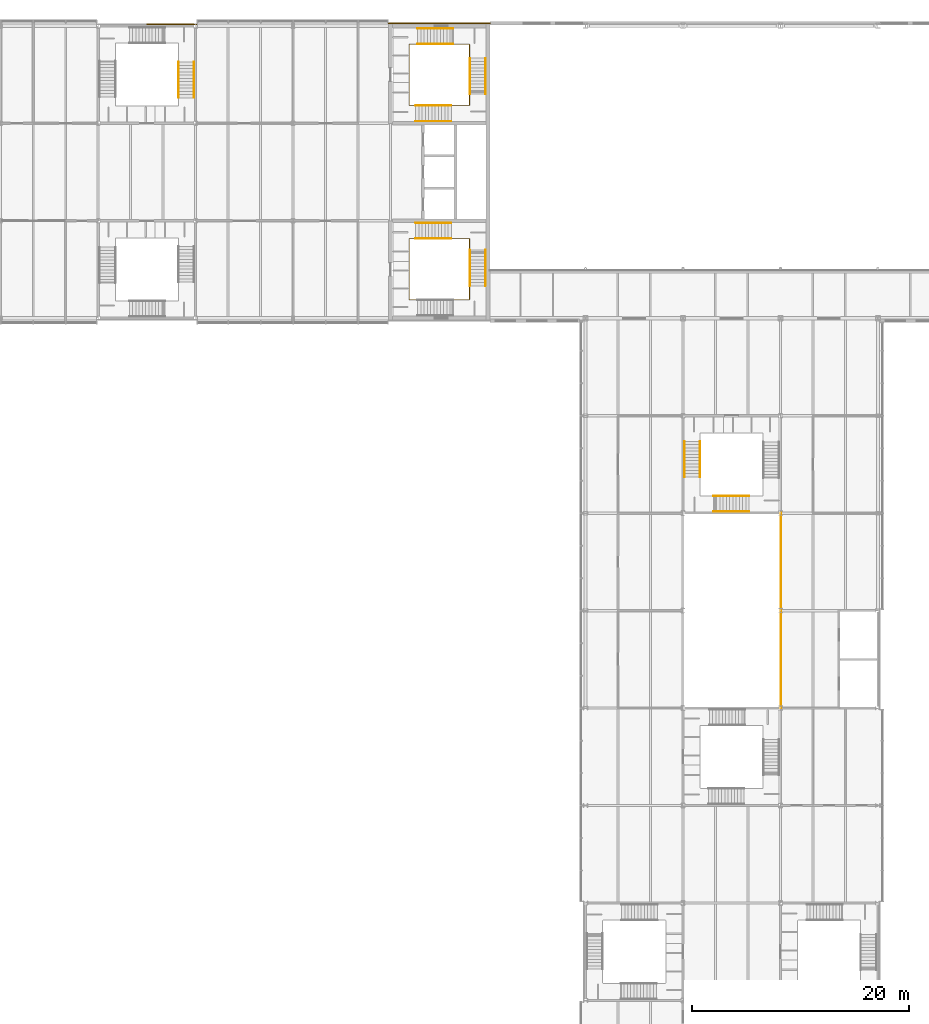
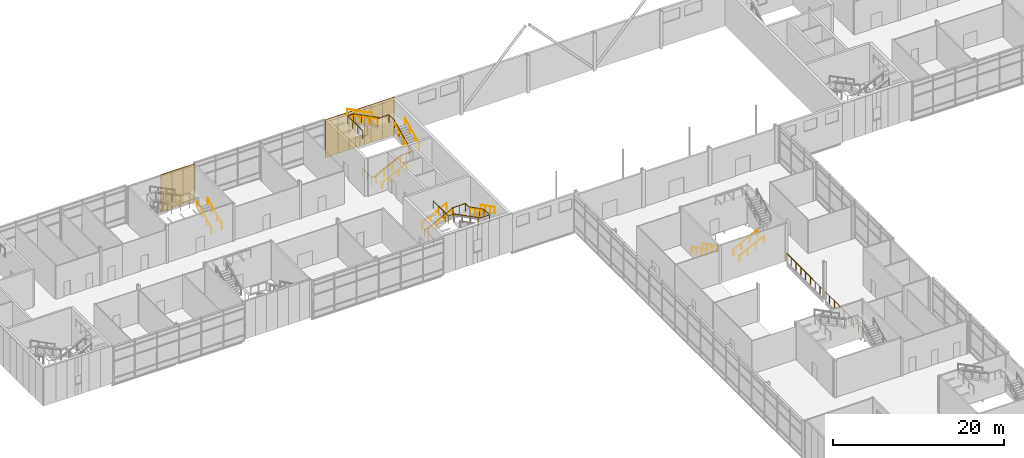
# One storey, part 52 of 56: 20 railings, 13 coverings.
"""IFC4 building model written with IfcOpenShell, lengths in metres."""

from ifc_helpers import new_model, si_unit, direction, frame, origin, origin_2d, place, context, subcontext, project, spatial, rectangle, circle, extrude, material, layer, layer_set, type_object, element, save


model = new_model("IFC4")

# Units and contexts
model_context = context("Model", 3, precision=1e-05, world=origin(), true_north=direction((0.0, 1.0)))
body_context = subcontext(model_context, "Body", "Model", "MODEL_VIEW")
ifc_project = project(units=[si_unit("LENGTHUNIT", "METRE"), si_unit("AREAUNIT", "SQUARE_METRE"), si_unit("VOLUMEUNIT", "CUBIC_METRE"), si_unit("PLANEANGLEUNIT", "RADIAN"), si_unit("MASSUNIT", "GRAM", prefix="KILO")], contexts=[model_context])

# Site, building, storey
site_placement = place(None, origin())
site = spatial("IfcSite", under=ifc_project, at=site_placement, CompositionType="ELEMENT")
building_placement = place(site_placement, origin())
building = spatial("IfcBuilding", under=site, at=building_placement, Name="Azimuth Sports and Learning Centre", CompositionType="ELEMENT")
storey_placement = place(building_placement, frame((0.0, 0.0, 5.39990234375)))
storey = spatial("IfcBuildingStorey", under=building, at=storey_placement, Name="L01", CompositionType="ELEMENT", Elevation=5.39990234375)

# Coverings
ifc_material_1 = material(Name="Cladding panel")
ifc_layer = layer(ifc_material_1, 0.10009765625)
ifc_layer_set = layer_set([ifc_layer], Name="Cladding panel")
covering_type = type_object("IfcCoveringType", Name="Cladding panel 100", PredefinedType="CLADDING", material=ifc_layer_set)
covering_1_placement = place(storey_placement, frame((62.35009765625, 117.25, 0.000244140625), z_axis=(0.0, 0.0, 1.0), x_axis=(-1.0, 0.0, 0.0)))
element("IfcCovering", 1, at=covering_1_placement, inside=storey, type_object=covering_type, Name="Cladding panel N-CORE W L01 1", PredefinedType="CLADDING", context=body_context, shape_type="SweptSolid", body=[
    extrude(rectangle(XDim=1.699951171875, YDim=0.10009765625, at=origin_2d()), origin(), (0.0, 0.0, 1.0), 5.39990234375),
])
covering_2_placement = place(storey_placement, frame((60.75, 117.25, 0.000244140625), z_axis=(0.0, 0.0, 1.0), x_axis=(-1.0, 0.0, 0.0)))
element("IfcCovering", 2, at=covering_2_placement, inside=storey, type_object=covering_type, Name="Cladding panel N-CORE W L01 2", PredefinedType="CLADDING", context=body_context, shape_type="SweptSolid", body=[
    extrude(rectangle(XDim=1.5, YDim=0.10009765625, at=origin_2d()), origin(), (0.0, 0.0, 1.0), 5.39990234375),
])
covering_3_placement = place(storey_placement, frame((59.550048828125, 117.25, 0.000244140625), z_axis=(0.0, 0.0, 1.0), x_axis=(-1.0, 0.0, 0.0)))
element("IfcCovering", 3, at=covering_3_placement, inside=storey, type_object=covering_type, Name="Cladding panel N-CORE W L01 3", PredefinedType="CLADDING", context=body_context, shape_type="SweptSolid", body=[
    extrude(rectangle(XDim=0.89990234375, YDim=0.10009765625, at=origin_2d()), origin(), (0.0, 0.0, 1.0), 5.39990234375),
])
covering_4_placement = place(storey_placement, frame((58.800048828125, 117.25, 0.0), z_axis=(0.0, 0.0, 1.0), x_axis=(-1.0, 0.0, 0.0)))
element("IfcCovering", 4, at=covering_4_placement, inside=storey, type_object=covering_type, Name="Cladding panel N-CORE W L01 4", PredefinedType="CLADDING", context=body_context, shape_type="SweptSolid", body=[
    extrude(rectangle(XDim=0.60009765625, YDim=0.10009765625, at=origin_2d()), origin(), (0.0, 0.0, 1.0), 1.5),
])
covering_5_placement = place(storey_placement, frame((58.800048828125, 117.25, 3.300048828125), z_axis=(0.0, 0.0, 1.0), x_axis=(-1.0, 0.0, 0.0)))
element("IfcCovering", 5, at=covering_5_placement, inside=storey, type_object=covering_type, Name="Cladding panel N-CORE W L01 5", PredefinedType="CLADDING", context=body_context, shape_type="SweptSolid", body=[
    extrude(rectangle(XDim=0.60009765625, YDim=0.10009765625, at=origin_2d()), origin(), (0.0, 0.0, 1.0), 2.10009765625),
])
covering_6_placement = place(storey_placement, frame((57.449951171875, 117.25, 0.000244140625), z_axis=(0.0, 0.0, 1.0), x_axis=(-1.0, 0.0, 0.0)))
element("IfcCovering", 6, at=covering_6_placement, inside=storey, type_object=covering_type, Name="Cladding panel N-CORE W L01 6", PredefinedType="CLADDING", context=body_context, shape_type="SweptSolid", body=[
    extrude(rectangle(XDim=0.89990234375, YDim=0.10009765625, at=origin_2d()), origin(), (0.0, 0.0, 1.0), 5.39990234375),
])
covering_7_placement = place(storey_placement, frame((58.199951171875, 117.25, 0.0), z_axis=(0.0, 0.0, 1.0), x_axis=(-1.0, 0.0, 0.0)))
element("IfcCovering", 7, at=covering_7_placement, inside=storey, type_object=covering_type, Name="Cladding panel N-CORE W L01 7", PredefinedType="CLADDING", context=body_context, shape_type="SweptSolid", body=[
    extrude(rectangle(XDim=0.60009765625, YDim=0.10009765625, at=origin_2d()), origin(), (0.0, 0.0, 1.0), 1.5),
])
covering_8_placement = place(storey_placement, frame((58.199951171875, 117.25, 3.300048828125), z_axis=(0.0, 0.0, 1.0), x_axis=(-1.0, 0.0, 0.0)))
element("IfcCovering", 8, at=covering_8_placement, inside=storey, type_object=covering_type, Name="Cladding panel N-CORE W L01 8", PredefinedType="CLADDING", context=body_context, shape_type="SweptSolid", body=[
    extrude(rectangle(XDim=0.60009765625, YDim=0.10009765625, at=origin_2d()), origin(), (0.0, 0.0, 1.0), 2.10009765625),
])
covering_9_placement = place(storey_placement, frame((56.25, 117.25, 0.000244140625), z_axis=(0.0, 0.0, 1.0), x_axis=(-1.0, 0.0, 0.0)))
element("IfcCovering", 9, at=covering_9_placement, inside=storey, type_object=covering_type, Name="Cladding panel N-CORE W L01 9", PredefinedType="CLADDING", context=body_context, shape_type="SweptSolid", body=[
    extrude(rectangle(XDim=1.5, YDim=0.10009765625, at=origin_2d()), origin(), (0.0, 0.0, 1.0), 5.39990234375),
])
covering_10_placement = place(storey_placement, frame((54.64990234375, 117.25, 0.000244140625), z_axis=(0.0, 0.0, 1.0), x_axis=(-1.0, 0.0, 0.0)))
element("IfcCovering", 10, at=covering_10_placement, inside=storey, type_object=covering_type, Name="Cladding panel N-CORE W L01 10", PredefinedType="CLADDING", context=body_context, shape_type="SweptSolid", body=[
    extrude(rectangle(XDim=1.699951171875, YDim=0.10009765625, at=origin_2d()), origin(), (0.0, 0.0, 1.0), 5.39990234375),
])
covering_11_placement = place(storey_placement, frame((35.300048828125, 117.14990234375, 0.000244140625), z_axis=(0.0, 0.0, 1.0), x_axis=(-1.0, 0.0, 0.0)))
element("IfcCovering", 11, at=covering_11_placement, inside=storey, type_object=covering_type, Name="Cladding panel N-WM2 L01 1", PredefinedType="CLADDING", context=body_context, shape_type="SweptSolid", body=[
    extrude(rectangle(XDim=1.60009765625, YDim=0.10009765625, at=origin_2d()), origin(), (0.0, 0.0, 1.0), 5.39990234375),
])
for number, where, z_axis, x_axis, name in (
    (12, (33.75, 117.14990234375, 0.000244140625), (0.0, 0.0, 1.0), (-1.0, 0.0, 0.0), "Cladding panel N-WM2 L01 2"),
    (13, (32.25, 117.14990234375, 0.000244140625), (0.0, 0.0, 1.0), (-1.0, 0.0, 0.0), "Cladding panel N-WM2 L01 3"),
):
    element("IfcCovering", number, at=place(storey_placement, frame(where, z_axis=z_axis, x_axis=x_axis)), inside=storey, type_object=covering_type, Name=name, PredefinedType="CLADDING", context=body_context, shape_type="SweptSolid", body=[
        extrude(rectangle(XDim=1.5, YDim=0.10009765625, at=origin_2d()), origin(), (0.0, 0.0, 1.0), 5.39990234375),
    ])

# Railings
ifc_material_2 = material(Name="Steel balustrade", Category="steel")
railing_type_1 = type_object("IfcRailingType", Name="Guard 1100", PredefinedType="GUARDRAIL", material=ifc_material_2)
for number, where, name in (
    (14, (90.070068359375, 54.0, 0.0), "Atrium guard"),
    (15, (90.070068359375, 63.0, 0.0), "Atrium guard"),
):
    element("IfcRailing", number, at=place(storey_placement, frame(where)), inside=storey, type_object=railing_type_1, Name=name, PredefinedType="GUARDRAIL", context=body_context, shape_type="SweptSolid", body=[
        extrude(circle(Radius=0.02392578125, at=origin_2d()), frame((0.0, 0.0, 1.076171875), z_axis=(0.0, 1.0, 0.0), x_axis=(-1.0, 0.0, 0.0)), (0.0, 0.0, 1.0), 9.0),
        extrude(circle(Radius=0.02099609375, at=origin_2d()), origin(), (0.0, 0.0, 1.0), 1.052001953125),
        extrude(circle(Radius=0.02099609375, at=origin_2d()), frame((0.0, 1.125, 0.0)), (0.0, 0.0, 1.0), 1.052001953125),
        extrude(circle(Radius=0.02099609375, at=origin_2d()), frame((0.0, 2.25, 0.0)), (0.0, 0.0, 1.0), 1.052001953125),
        extrude(circle(Radius=0.02099609375, at=origin_2d()), frame((0.0, 3.375, 0.0)), (0.0, 0.0, 1.0), 1.052001953125),
        extrude(circle(Radius=0.02099609375, at=origin_2d()), frame((0.0, 4.5, 0.0)), (0.0, 0.0, 1.0), 1.052001953125),
        extrude(circle(Radius=0.02099609375, at=origin_2d()), frame((0.0, 5.625, 0.0)), (0.0, 0.0, 1.0), 1.052001953125),
        extrude(circle(Radius=0.02099609375, at=origin_2d()), frame((0.0, 6.75, 0.0)), (0.0, 0.0, 1.0), 1.052001953125),
        extrude(circle(Radius=0.02099609375, at=origin_2d()), frame((0.0, 7.875, 0.0)), (0.0, 0.0, 1.0), 1.052001953125),
        extrude(circle(Radius=0.02099609375, at=origin_2d()), frame((0.0, 9.0, 0.0)), (0.0, 0.0, 1.0), 1.052001953125),
    ])
ifc_material_3 = material(Name="Stainless steel", Category="steel")
railing_type_2 = type_object("IfcRailingType", Name="Stair guard 1100", PredefinedType="GUARDRAIL", material=ifc_material_3)
railing_1_placement = place(storey_placement, frame((55.7099609375, 95.25, 0.0)))
element("IfcRailing", 16, at=railing_1_placement, inside=storey, type_object=railing_type_2, Name="Guard W1 L01 well", PredefinedType="GUARDRAIL", context=body_context, shape_type="SweptSolid", body=[
    extrude(circle(Radius=0.02392578125, at=origin_2d()), frame((0.0, 0.0, 1.076171875), z_axis=(0.0, 1.0, 0.0), x_axis=(-1.0, 0.0, 0.0)), (0.0, 0.0, 1.0), 2.090087890625),
    extrude(circle(Radius=0.02392578125, at=origin_2d()), frame((0.0, 2.090087890625, 1.076171875), z_axis=(1.0, 0.0, 0.0), x_axis=(0.0, 1.0, 0.0)), (0.0, 0.0, 1.0), 0.60009765625),
    extrude(circle(Radius=0.02392578125, at=origin_2d()), frame((0.60009765625, 2.090087890625, 1.076171875), z_axis=(0.0, 0.0, 1.0), x_axis=(1.0, 0.0, 0.0)), (0.0, 0.0, 1.0), 0.150146484375),
    extrude(circle(Radius=0.02392578125, at=origin_2d()), frame((0.60009765625, 2.090087890625, 1.22607421875), z_axis=(0.894440424912, 0.0, 0.447187126696), x_axis=(0.0, 1.0, 0.0)), (0.0, 0.0, 1.0), 3.689453125),
    extrude(circle(Radius=0.02392578125, at=origin_2d()), frame((3.900146484375, 2.090087890625, 2.8759765625), z_axis=(1.0, 0.0, 0.0), x_axis=(0.0, 1.0, 0.0)), (0.0, 0.0, 1.0), 1.679931640625),
    extrude(circle(Radius=0.02392578125, at=origin_2d()), frame((5.580078125, 2.090087890625, 2.8759765625), z_axis=(0.0, -1.0, 0.0), x_axis=(1.0, 0.0, 0.0)), (0.0, 0.0, 1.0), 1.050048828125),
    extrude(circle(Radius=0.02392578125, at=origin_2d()), frame((5.580078125, 1.0400390625, 2.8759765625), z_axis=(0.0, 0.0, 1.0), x_axis=(1.0, 0.0, 0.0)), (0.0, 0.0, 1.0), 0.150146484375),
    extrude(circle(Radius=0.02392578125, at=origin_2d()), frame((5.580078125, 1.0400390625, 3.0263671875), z_axis=(0.0, -0.894440424912, 0.447187126696), x_axis=(1.0, 0.0, 0.0)), (0.0, 0.0, 1.0), 3.689453125),
    extrude(circle(Radius=0.02392578125, at=origin_2d()), frame((5.580078125, -2.260009765625, 4.67626953125), z_axis=(0.0, -1.0, 0.0), x_axis=(1.0, 0.0, 0.0)), (0.0, 0.0, 1.0), 1.280029296875),
    extrude(circle(Radius=0.02392578125, at=origin_2d()), frame((5.580078125, -3.5400390625, 4.67626953125), z_axis=(-1.0, 0.0, 0.0), x_axis=(0.0, -1.0, 0.0)), (0.0, 0.0, 1.0), 1.5),
    extrude(circle(Radius=0.02392578125, at=origin_2d()), frame((4.080078125, -3.5400390625, 4.67626953125), z_axis=(0.0, 0.0, 1.0), x_axis=(1.0, 0.0, 0.0)), (0.0, 0.0, 1.0), 0.14990234375),
    extrude(circle(Radius=0.02392578125, at=origin_2d()), frame((4.080078125, -3.5400390625, 4.826171875), z_axis=(-0.894413956696, 0.0, 0.447240063129), x_axis=(0.0, -1.0, 0.0)), (0.0, 0.0, 1.0), 3.689697265625),
    extrude(circle(Radius=0.02392578125, at=origin_2d()), frame((0.780029296875, -3.5400390625, 6.47607421875), z_axis=(-1.0, 0.0, 0.0), x_axis=(0.0, -1.0, 0.0)), (0.0, 0.0, 1.0), 0.780029296875),
    extrude(circle(Radius=0.02392578125, at=origin_2d()), frame((0.0, -3.5400390625, 6.47607421875), z_axis=(0.0, 1.0, 0.0), x_axis=(-1.0, 0.0, 0.0)), (0.0, 0.0, 1.0), 3.5400390625),
    extrude(circle(Radius=0.01611328125, at=origin_2d()), origin(), (0.0, 0.0, 1.0), 1.052001953125),
    extrude(circle(Radius=0.01611328125, at=origin_2d()), frame((0.0, 1.044921875, 0.0)), (0.0, 0.0, 1.0), 1.052001953125),
    extrude(circle(Radius=0.01611328125, at=origin_2d()), frame((0.0, 2.090087890625, 0.0)), (0.0, 0.0, 1.0), 1.052001953125),
    extrude(circle(Radius=0.01611328125, at=origin_2d()), frame((0.60009765625, 2.090087890625, 0.0)), (0.0, 0.0, 1.0), 1.052001953125),
    extrude(circle(Radius=0.01611328125, at=origin_2d()), frame((0.60009765625, 2.090087890625, 0.150146484375)), (0.0, 0.0, 1.0), 1.052001953125),
    extrude(circle(Radius=0.01611328125, at=origin_2d()), frame((1.7001953125, 2.090087890625, 0.7001953125)), (0.0, 0.0, 1.0), 1.052001953125),
    extrude(circle(Radius=0.01611328125, at=origin_2d()), frame((2.800048828125, 2.090087890625, 1.25)), (0.0, 0.0, 1.0), 1.052001953125),
    extrude(circle(Radius=0.01611328125, at=origin_2d()), frame((3.900146484375, 2.090087890625, 1.800048828125)), (0.0, 0.0, 1.0), 1.052001953125),
    extrude(circle(Radius=0.01611328125, at=origin_2d()), frame((4.740234375, 2.090087890625, 1.800048828125)), (0.0, 0.0, 1.0), 1.052001953125),
    extrude(circle(Radius=0.01611328125, at=origin_2d()), frame((5.580078125, 2.090087890625, 1.800048828125)), (0.0, 0.0, 1.0), 1.052001953125),
    extrude(circle(Radius=0.01611328125, at=origin_2d()), frame((5.580078125, 1.0400390625, 1.800048828125)), (0.0, 0.0, 1.0), 1.052001953125),
    extrude(circle(Radius=0.01611328125, at=origin_2d()), frame((5.580078125, 1.0400390625, 1.9501953125)), (0.0, 0.0, 1.0), 1.052001953125),
    extrude(circle(Radius=0.01611328125, at=origin_2d()), frame((5.580078125, -0.06005859375, 2.500244140625)), (0.0, 0.0, 1.0), 1.052001953125),
    extrude(circle(Radius=0.01611328125, at=origin_2d()), frame((5.580078125, -1.159912109375, 3.050048828125)), (0.0, 0.0, 1.0), 1.052001953125),
    extrude(circle(Radius=0.01611328125, at=origin_2d()), frame((5.580078125, -2.260009765625, 3.60009765625)), (0.0, 0.0, 1.0), 1.052001953125),
    extrude(circle(Radius=0.01611328125, at=origin_2d()), frame((5.580078125, -3.5400390625, 3.60009765625)), (0.0, 0.0, 1.0), 1.052001953125),
    extrude(circle(Radius=0.01611328125, at=origin_2d()), frame((4.080078125, -3.5400390625, 3.60009765625)), (0.0, 0.0, 1.0), 1.052001953125),
    extrude(circle(Radius=0.01611328125, at=origin_2d()), frame((4.080078125, -3.5400390625, 3.75)), (0.0, 0.0, 1.0), 1.052001953125),
    extrude(circle(Radius=0.01611328125, at=origin_2d()), frame((2.97998046875, -3.5400390625, 4.300048828125)), (0.0, 0.0, 1.0), 1.052001953125),
    extrude(circle(Radius=0.01611328125, at=origin_2d()), frame((1.880126953125, -3.5400390625, 4.85009765625)), (0.0, 0.0, 1.0), 1.052001953125),
    extrude(circle(Radius=0.01611328125, at=origin_2d()), frame((0.780029296875, -3.5400390625, 5.400146484375)), (0.0, 0.0, 1.0), 1.052001953125),
    extrude(circle(Radius=0.01611328125, at=origin_2d()), frame((0.0, -3.5400390625, 5.400146484375)), (0.0, 0.0, 1.0), 1.052001953125),
    extrude(circle(Radius=0.01611328125, at=origin_2d()), frame((0.0, -2.360107421875, 5.400146484375)), (0.0, 0.0, 1.0), 1.052001953125),
    extrude(circle(Radius=0.01611328125, at=origin_2d()), frame((0.0, -1.179931640625, 5.400146484375)), (0.0, 0.0, 1.0), 1.052001953125),
    extrude(circle(Radius=0.01611328125, at=origin_2d()), frame((0.0, 0.0, 5.400146484375)), (0.0, 0.0, 1.0), 1.052001953125),
])
railing_2_placement = place(storey_placement, frame((55.7099609375, 111.75, 0.0)))
element("IfcRailing", 17, at=railing_2_placement, inside=storey, type_object=railing_type_2, Name="Guard W2 L01 well", PredefinedType="GUARDRAIL", context=body_context, shape_type="SweptSolid", body=[
    extrude(circle(Radius=0.02392578125, at=origin_2d()), frame((0.0, 0.0, 1.076171875), z_axis=(0.0, -1.0, 0.0), x_axis=(1.0, 0.0, 0.0)), (0.0, 0.0, 1.0), 2.090087890625),
    extrude(circle(Radius=0.02392578125, at=origin_2d()), frame((0.0, -2.090087890625, 1.076171875), z_axis=(1.0, 0.0, 0.0), x_axis=(0.0, 1.0, 0.0)), (0.0, 0.0, 1.0), 0.60009765625),
    extrude(circle(Radius=0.02392578125, at=origin_2d()), frame((0.60009765625, -2.090087890625, 1.076171875), z_axis=(0.0, 0.0, 1.0), x_axis=(1.0, 0.0, 0.0)), (0.0, 0.0, 1.0), 0.150146484375),
    extrude(circle(Radius=0.02392578125, at=origin_2d()), frame((0.60009765625, -2.090087890625, 1.22607421875), z_axis=(0.894440424912, 0.0, 0.447187126696), x_axis=(0.0, 1.0, 0.0)), (0.0, 0.0, 1.0), 3.689453125),
    extrude(circle(Radius=0.02392578125, at=origin_2d()), frame((3.900146484375, -2.090087890625, 2.8759765625), z_axis=(1.0, 0.0, 0.0), x_axis=(0.0, 1.0, 0.0)), (0.0, 0.0, 1.0), 1.679931640625),
    extrude(circle(Radius=0.02392578125, at=origin_2d()), frame((5.580078125, -2.090087890625, 2.8759765625), z_axis=(0.0, 1.0, 0.0), x_axis=(-1.0, 0.0, 0.0)), (0.0, 0.0, 1.0), 1.050048828125),
    extrude(circle(Radius=0.02392578125, at=origin_2d()), frame((5.580078125, -1.0400390625, 2.8759765625), z_axis=(0.0, 0.0, 1.0), x_axis=(1.0, 0.0, 0.0)), (0.0, 0.0, 1.0), 0.150146484375),
    extrude(circle(Radius=0.02392578125, at=origin_2d()), frame((5.580078125, -1.0400390625, 3.0263671875), z_axis=(0.0, 0.894440424912, 0.447187126696), x_axis=(-1.0, 0.0, 0.0)), (0.0, 0.0, 1.0), 3.689453125),
    extrude(circle(Radius=0.02392578125, at=origin_2d()), frame((5.580078125, 2.260009765625, 4.67626953125), z_axis=(0.0, 1.0, 0.0), x_axis=(-1.0, 0.0, 0.0)), (0.0, 0.0, 1.0), 1.280029296875),
    extrude(circle(Radius=0.02392578125, at=origin_2d()), frame((5.580078125, 3.5400390625, 4.67626953125), z_axis=(-1.0, 0.0, 0.0), x_axis=(0.0, -1.0, 0.0)), (0.0, 0.0, 1.0), 1.5),
    extrude(circle(Radius=0.02392578125, at=origin_2d()), frame((4.080078125, 3.5400390625, 4.67626953125), z_axis=(0.0, 0.0, 1.0), x_axis=(1.0, 0.0, 0.0)), (0.0, 0.0, 1.0), 0.14990234375),
    extrude(circle(Radius=0.02392578125, at=origin_2d()), frame((4.080078125, 3.5400390625, 4.826171875), z_axis=(-0.894413956696, 0.0, 0.447240063129), x_axis=(0.0, -1.0, 0.0)), (0.0, 0.0, 1.0), 3.689697265625),
    extrude(circle(Radius=0.02392578125, at=origin_2d()), frame((0.780029296875, 3.5400390625, 6.47607421875), z_axis=(-1.0, 0.0, 0.0), x_axis=(0.0, -1.0, 0.0)), (0.0, 0.0, 1.0), 0.780029296875),
    extrude(circle(Radius=0.02392578125, at=origin_2d()), frame((0.0, 3.5400390625, 6.47607421875), z_axis=(0.0, -1.0, 0.0), x_axis=(1.0, 0.0, 0.0)), (0.0, 0.0, 1.0), 3.5400390625),
    extrude(circle(Radius=0.01611328125, at=origin_2d()), origin(), (0.0, 0.0, 1.0), 1.052001953125),
    extrude(circle(Radius=0.01611328125, at=origin_2d()), frame((0.0, -1.044921875, 0.0)), (0.0, 0.0, 1.0), 1.052001953125),
    extrude(circle(Radius=0.01611328125, at=origin_2d()), frame((0.0, -2.090087890625, 0.0)), (0.0, 0.0, 1.0), 1.052001953125),
    extrude(circle(Radius=0.01611328125, at=origin_2d()), frame((0.60009765625, -2.090087890625, 0.0)), (0.0, 0.0, 1.0), 1.052001953125),
    extrude(circle(Radius=0.01611328125, at=origin_2d()), frame((0.60009765625, -2.090087890625, 0.150146484375)), (0.0, 0.0, 1.0), 1.052001953125),
    extrude(circle(Radius=0.01611328125, at=origin_2d()), frame((1.7001953125, -2.090087890625, 0.7001953125)), (0.0, 0.0, 1.0), 1.052001953125),
    extrude(circle(Radius=0.01611328125, at=origin_2d()), frame((2.800048828125, -2.090087890625, 1.25)), (0.0, 0.0, 1.0), 1.052001953125),
    extrude(circle(Radius=0.01611328125, at=origin_2d()), frame((3.900146484375, -2.090087890625, 1.800048828125)), (0.0, 0.0, 1.0), 1.052001953125),
    extrude(circle(Radius=0.01611328125, at=origin_2d()), frame((4.740234375, -2.090087890625, 1.800048828125)), (0.0, 0.0, 1.0), 1.052001953125),
    extrude(circle(Radius=0.01611328125, at=origin_2d()), frame((5.580078125, -2.090087890625, 1.800048828125)), (0.0, 0.0, 1.0), 1.052001953125),
    extrude(circle(Radius=0.01611328125, at=origin_2d()), frame((5.580078125, -1.0400390625, 1.800048828125)), (0.0, 0.0, 1.0), 1.052001953125),
    extrude(circle(Radius=0.01611328125, at=origin_2d()), frame((5.580078125, -1.0400390625, 1.9501953125)), (0.0, 0.0, 1.0), 1.052001953125),
    extrude(circle(Radius=0.01611328125, at=origin_2d()), frame((5.580078125, 0.06005859375, 2.500244140625)), (0.0, 0.0, 1.0), 1.052001953125),
    extrude(circle(Radius=0.01611328125, at=origin_2d()), frame((5.580078125, 1.159912109375, 3.050048828125)), (0.0, 0.0, 1.0), 1.052001953125),
    extrude(circle(Radius=0.01611328125, at=origin_2d()), frame((5.580078125, 2.260009765625, 3.60009765625)), (0.0, 0.0, 1.0), 1.052001953125),
    extrude(circle(Radius=0.01611328125, at=origin_2d()), frame((5.580078125, 3.5400390625, 3.60009765625)), (0.0, 0.0, 1.0), 1.052001953125),
    extrude(circle(Radius=0.01611328125, at=origin_2d()), frame((4.080078125, 3.5400390625, 3.60009765625)), (0.0, 0.0, 1.0), 1.052001953125),
    extrude(circle(Radius=0.01611328125, at=origin_2d()), frame((4.080078125, 3.5400390625, 3.75)), (0.0, 0.0, 1.0), 1.052001953125),
    extrude(circle(Radius=0.01611328125, at=origin_2d()), frame((2.97998046875, 3.5400390625, 4.300048828125)), (0.0, 0.0, 1.0), 1.052001953125),
    extrude(circle(Radius=0.01611328125, at=origin_2d()), frame((1.880126953125, 3.5400390625, 4.85009765625)), (0.0, 0.0, 1.0), 1.052001953125),
    extrude(circle(Radius=0.01611328125, at=origin_2d()), frame((0.780029296875, 3.5400390625, 5.400146484375)), (0.0, 0.0, 1.0), 1.052001953125),
    extrude(circle(Radius=0.01611328125, at=origin_2d()), frame((0.0, 3.5400390625, 5.400146484375)), (0.0, 0.0, 1.0), 1.052001953125),
    extrude(circle(Radius=0.01611328125, at=origin_2d()), frame((0.0, 2.360107421875, 5.400146484375)), (0.0, 0.0, 1.0), 1.052001953125),
    extrude(circle(Radius=0.01611328125, at=origin_2d()), frame((0.0, 1.179931640625, 5.400146484375)), (0.0, 0.0, 1.0), 1.052001953125),
    extrude(circle(Radius=0.01611328125, at=origin_2d()), frame((0.0, 0.0, 5.400146484375)), (0.0, 0.0, 1.0), 1.052001953125),
])
ifc_material_4 = material(Name="Stainless steel", Category="steel")
railing_type_3 = type_object("IfcRailingType", Name="Stair handrail 42", PredefinedType="HANDRAIL", material=ifc_material_4)
for number, where, name in (
    (18, (56.31005859375, 97.3701171875, 0.150146484375), "Handrail W1 L01 flight 1 inner"),
    (19, (56.31005859375, 98.81005859375, 0.150146484375), "Handrail W1 L01 flight 1 outer"),
):
    element("IfcRailing", number, at=place(storey_placement, frame(where)), inside=storey, type_object=railing_type_3, Name=name, PredefinedType="HANDRAIL", context=body_context, shape_type="SweptSolid", body=[
        extrude(circle(Radius=0.02099609375, at=origin_2d()), frame((0.0, 0.0, 0.87890625), z_axis=(0.894440424912, 0.0, 0.447187126696), x_axis=(0.0, 1.0, 0.0)), (0.0, 0.0, 1.0), 3.689453125),
        extrude(circle(Radius=0.01611328125, at=origin_2d()), origin(), (0.0, 0.0, 1.0), 0.85791015625),
        extrude(circle(Radius=0.01611328125, at=origin_2d()), frame((1.10009765625, 0.0, 0.550048828125)), (0.0, 0.0, 1.0), 0.85791015625),
        extrude(circle(Radius=0.01611328125, at=origin_2d()), frame((2.199951171875, 0.0, 1.099853515625)), (0.0, 0.0, 1.0), 0.85791015625),
        extrude(circle(Radius=0.01611328125, at=origin_2d()), frame((3.300048828125, 0.0, 1.64990234375)), (0.0, 0.0, 1.0), 0.85791015625),
    ])
for number, where, name in (
    (20, (61.320068359375, 96.2900390625, 1.9501953125), "Handrail W1 L01 flight 2 inner"),
    (21, (62.760009765625, 96.2900390625, 1.9501953125), "Handrail W1 L01 flight 2 outer"),
):
    element("IfcRailing", number, at=place(storey_placement, frame(where)), inside=storey, type_object=railing_type_3, Name=name, PredefinedType="HANDRAIL", context=body_context, shape_type="SweptSolid", body=[
        extrude(circle(Radius=0.02099609375, at=origin_2d()), frame((0.0, 0.0, 0.87890625), z_axis=(0.0, -0.894440424912, 0.447187126696), x_axis=(1.0, 0.0, 0.0)), (0.0, 0.0, 1.0), 3.689453125),
        extrude(circle(Radius=0.01611328125, at=origin_2d()), origin(), (0.0, 0.0, 1.0), 0.85791015625),
        extrude(circle(Radius=0.01611328125, at=origin_2d()), frame((0.0, -1.10009765625, 0.550048828125)), (0.0, 0.0, 1.0), 0.85791015625),
        extrude(circle(Radius=0.01611328125, at=origin_2d()), frame((0.0, -2.199951171875, 1.099853515625)), (0.0, 0.0, 1.0), 0.85791015625),
        extrude(circle(Radius=0.01611328125, at=origin_2d()), frame((0.0, -3.300048828125, 1.64990234375)), (0.0, 0.0, 1.0), 0.85791015625),
    ])
for number, where, name in (
    (22, (56.31005859375, 109.6298828125, 0.150146484375), "Handrail W2 L01 flight 1 inner"),
    (23, (56.31005859375, 108.18994140625, 0.150146484375), "Handrail W2 L01 flight 1 outer"),
):
    element("IfcRailing", number, at=place(storey_placement, frame(where)), inside=storey, type_object=railing_type_3, Name=name, PredefinedType="HANDRAIL", context=body_context, shape_type="SweptSolid", body=[
        extrude(circle(Radius=0.02099609375, at=origin_2d()), frame((0.0, 0.0, 0.87890625), z_axis=(0.894440424912, 0.0, 0.447187126696), x_axis=(0.0, 1.0, 0.0)), (0.0, 0.0, 1.0), 3.689453125),
        extrude(circle(Radius=0.01611328125, at=origin_2d()), origin(), (0.0, 0.0, 1.0), 0.85791015625),
        extrude(circle(Radius=0.01611328125, at=origin_2d()), frame((1.10009765625, 0.0, 0.550048828125)), (0.0, 0.0, 1.0), 0.85791015625),
        extrude(circle(Radius=0.01611328125, at=origin_2d()), frame((2.199951171875, 0.0, 1.099853515625)), (0.0, 0.0, 1.0), 0.85791015625),
        extrude(circle(Radius=0.01611328125, at=origin_2d()), frame((3.300048828125, 0.0, 1.64990234375)), (0.0, 0.0, 1.0), 0.85791015625),
    ])
for number, where, name in (
    (24, (61.320068359375, 110.7099609375, 1.9501953125), "Handrail W2 L01 flight 2 inner"),
    (25, (62.760009765625, 110.7099609375, 1.9501953125), "Handrail W2 L01 flight 2 outer"),
):
    element("IfcRailing", number, at=place(storey_placement, frame(where)), inside=storey, type_object=railing_type_3, Name=name, PredefinedType="HANDRAIL", context=body_context, shape_type="SweptSolid", body=[
        extrude(circle(Radius=0.02099609375, at=origin_2d()), frame((0.0, 0.0, 0.87890625), z_axis=(0.0, 0.894440424912, 0.447187126696), x_axis=(-1.0, 0.0, 0.0)), (0.0, 0.0, 1.0), 3.689453125),
        extrude(circle(Radius=0.01611328125, at=origin_2d()), origin(), (0.0, 0.0, 1.0), 0.85791015625),
        extrude(circle(Radius=0.01611328125, at=origin_2d()), frame((0.0, 1.10009765625, 0.550048828125)), (0.0, 0.0, 1.0), 0.85791015625),
        extrude(circle(Radius=0.01611328125, at=origin_2d()), frame((0.0, 2.199951171875, 1.099853515625)), (0.0, 0.0, 1.0), 0.85791015625),
        extrude(circle(Radius=0.01611328125, at=origin_2d()), frame((0.0, 3.300048828125, 1.64990234375)), (0.0, 0.0, 1.0), 0.85791015625),
    ])
for number, where, name in (
    (26, (59.7900390625, 115.320068359375, 3.75), "Handrail W2 L01 flight 3 inner"),
    (27, (59.7900390625, 116.760009765625, 3.75), "Handrail W2 L01 flight 3 outer"),
):
    element("IfcRailing", number, at=place(storey_placement, frame(where)), inside=storey, type_object=railing_type_3, Name=name, PredefinedType="HANDRAIL", context=body_context, shape_type="SweptSolid", body=[
        extrude(circle(Radius=0.02099609375, at=origin_2d()), frame((0.0, 0.0, 0.87890625), z_axis=(-0.894413956696, 0.0, 0.447240063129), x_axis=(0.0, -1.0, 0.0)), (0.0, 0.0, 1.0), 3.689697265625),
        extrude(circle(Radius=0.01611328125, at=origin_2d()), origin(), (0.0, 0.0, 1.0), 0.85791015625),
        extrude(circle(Radius=0.01611328125, at=origin_2d()), frame((-1.10009765625, 0.0, 0.550048828125)), (0.0, 0.0, 1.0), 0.85791015625),
        extrude(circle(Radius=0.01611328125, at=origin_2d()), frame((-2.199951171875, 0.0, 1.10009765625)), (0.0, 0.0, 1.0), 0.85791015625),
        extrude(circle(Radius=0.01611328125, at=origin_2d()), frame((-3.300048828125, 0.0, 1.650146484375)), (0.0, 0.0, 1.0), 0.85791015625),
    ])
for number, where, name in (
    (28, (34.419921875, 110.360107421875, 0.150146484375), "Handrail WM2 L01 flight 1 inner"),
    (29, (35.860107421875, 110.360107421875, 0.150146484375), "Handrail WM2 L01 flight 1 outer"),
):
    element("IfcRailing", number, at=place(storey_placement, frame(where)), inside=storey, type_object=railing_type_3, Name=name, PredefinedType="HANDRAIL", context=body_context, shape_type="SweptSolid", body=[
        extrude(circle(Radius=0.02099609375, at=origin_2d()), frame((0.0, 0.0, 0.87890625), z_axis=(0.0, 0.894427191, 0.4472135955), x_axis=(-1.0, 0.0, 0.0)), (0.0, 0.0, 1.0), 3.689208984375),
        extrude(circle(Radius=0.01611328125, at=origin_2d()), origin(), (0.0, 0.0, 1.0), 0.85791015625),
        extrude(circle(Radius=0.01611328125, at=origin_2d()), frame((0.0, 1.099853515625, 0.550048828125)), (0.0, 0.0, 1.0), 0.85791015625),
        extrude(circle(Radius=0.01611328125, at=origin_2d()), frame((0.0, 2.199951171875, 1.099853515625)), (0.0, 0.0, 1.0), 0.85791015625),
        extrude(circle(Radius=0.01611328125, at=origin_2d()), frame((0.0, 3.2998046875, 1.64990234375)), (0.0, 0.0, 1.0), 0.85791015625),
    ])
for number, where, name in (
    (30, (82.580078125, 78.639892578125, 0.150146484375), "Handrail STD L01 flight 1 inner"),
    (31, (81.139892578125, 78.639892578125, 0.150146484375), "Handrail STD L01 flight 1 outer"),
):
    element("IfcRailing", number, at=place(storey_placement, frame(where)), inside=storey, type_object=railing_type_3, Name=name, PredefinedType="HANDRAIL", context=body_context, shape_type="SweptSolid", body=[
        extrude(circle(Radius=0.02099609375, at=origin_2d()), frame((0.0, 0.0, 0.87890625), z_axis=(0.0, -0.894427191, 0.4472135955), x_axis=(1.0, 0.0, 0.0)), (0.0, 0.0, 1.0), 3.689208984375),
        extrude(circle(Radius=0.01611328125, at=origin_2d()), origin(), (0.0, 0.0, 1.0), 0.85791015625),
        extrude(circle(Radius=0.01611328125, at=origin_2d()), frame((0.0, -1.099853515625, 0.550048828125)), (0.0, 0.0, 1.0), 0.85791015625),
        extrude(circle(Radius=0.01611328125, at=origin_2d()), frame((0.0, -2.199951171875, 1.099853515625)), (0.0, 0.0, 1.0), 0.85791015625),
        extrude(circle(Radius=0.01611328125, at=origin_2d()), frame((0.0, -3.2998046875, 1.64990234375)), (0.0, 0.0, 1.0), 0.85791015625),
    ])
for number, where, name in (
    (32, (83.81005859375, 73.580078125, 1.9501953125), "Handrail STD L01 flight 2 inner"),
    (33, (83.81005859375, 72.139892578125, 1.9501953125), "Handrail STD L01 flight 2 outer"),
):
    element("IfcRailing", number, at=place(storey_placement, frame(where)), inside=storey, type_object=railing_type_3, Name=name, PredefinedType="HANDRAIL", context=body_context, shape_type="SweptSolid", body=[
        extrude(circle(Radius=0.02099609375, at=origin_2d()), frame((0.0, 0.0, 0.87890625), z_axis=(0.894440424912, 0.0, 0.447187126696), x_axis=(0.0, 1.0, 0.0)), (0.0, 0.0, 1.0), 3.689453125),
        extrude(circle(Radius=0.01611328125, at=origin_2d()), origin(), (0.0, 0.0, 1.0), 0.85791015625),
        extrude(circle(Radius=0.01611328125, at=origin_2d()), frame((1.10009765625, 0.0, 0.550048828125)), (0.0, 0.0, 1.0), 0.85791015625),
        extrude(circle(Radius=0.01611328125, at=origin_2d()), frame((2.199951171875, 0.0, 1.099853515625)), (0.0, 0.0, 1.0), 0.85791015625),
        extrude(circle(Radius=0.01611328125, at=origin_2d()), frame((3.300048828125, 0.0, 1.64990234375)), (0.0, 0.0, 1.0), 0.85791015625),
    ])

save(model, "model.ifc")
